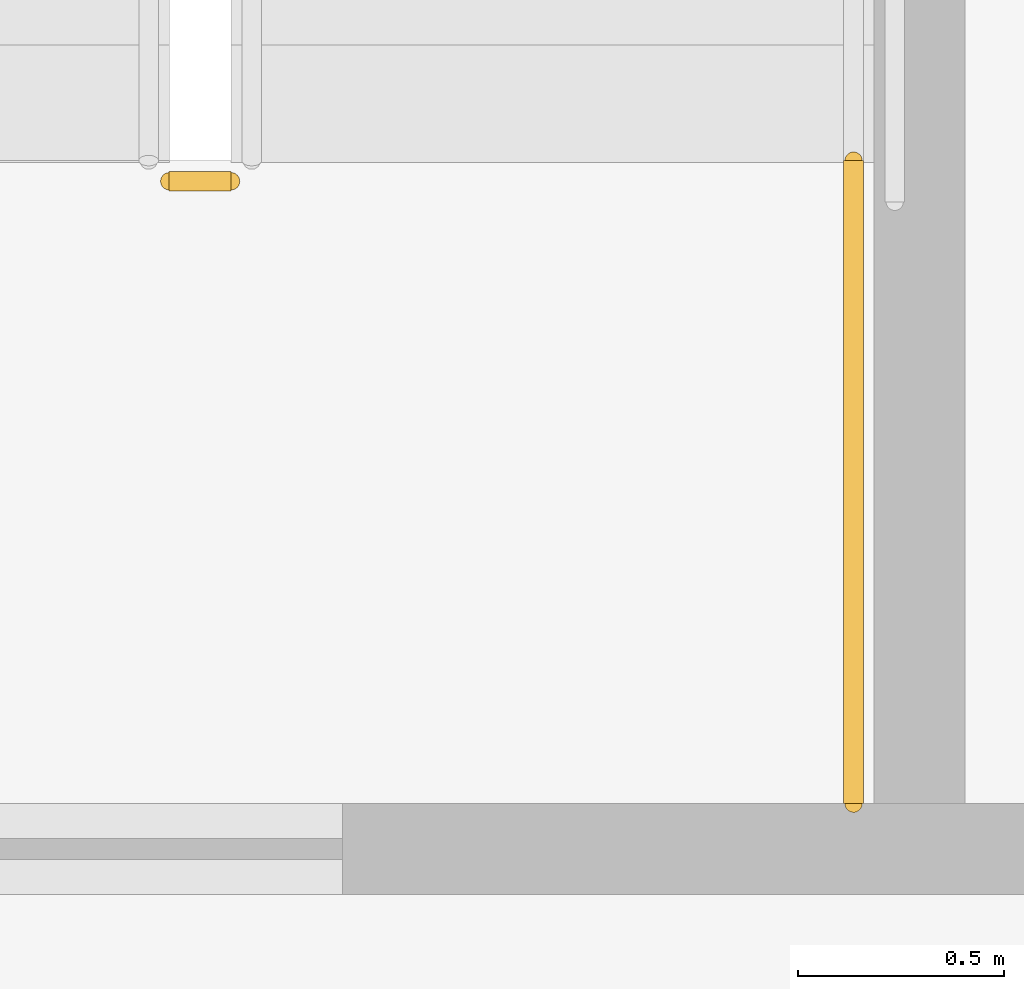
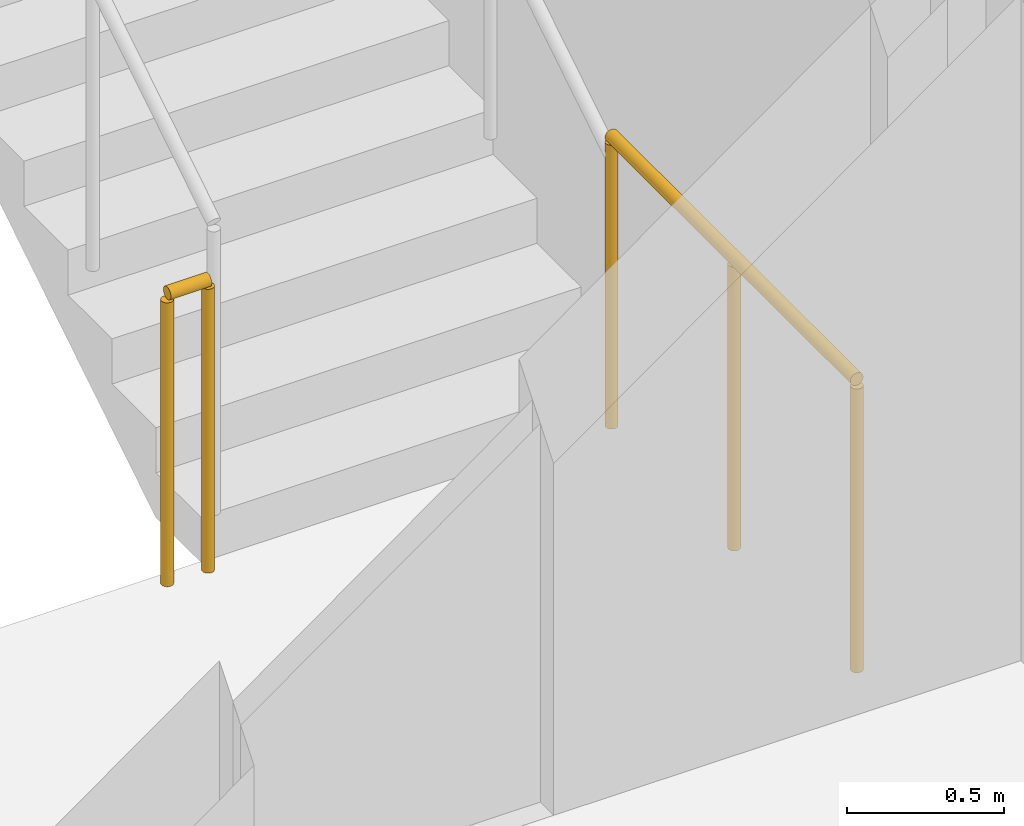
# One storey, part 12 of 15: 2 railings.
"""IFC4 building model written with IfcOpenShell, lengths in metres."""

from ifc_helpers import new_model, si_unit, direction, frame, origin, origin_2d, place, context, subcontext, project, spatial, circle, extrude, material, type_object, element, save


model = new_model("IFC4")

# Units and contexts
model_context = context("Model", 3, precision=1e-05, world=origin(), true_north=direction((0.0, 1.0)))
body_context = subcontext(model_context, "Body", "Model", "MODEL_VIEW")
ifc_project = project(units=[si_unit("LENGTHUNIT", "METRE"), si_unit("AREAUNIT", "SQUARE_METRE"), si_unit("VOLUMEUNIT", "CUBIC_METRE"), si_unit("PLANEANGLEUNIT", "RADIAN"), si_unit("MASSUNIT", "GRAM", prefix="KILO")], contexts=[model_context])

# Site, building, storey
site_placement = place(None, origin())
site = spatial("IfcSite", under=ifc_project, at=site_placement, CompositionType="ELEMENT")
building_placement = place(site_placement, origin())
building = spatial("IfcBuilding", under=site, at=building_placement, Name="Khairoan Windgate Tower", CompositionType="ELEMENT")
storey_placement = place(building_placement, frame((0.0, 0.0, 147.800048828125)))
storey = spatial("IfcBuildingStorey", under=building, at=storey_placement, Name="L34", CompositionType="ELEMENT", Elevation=147.800048828125)

# Railings
ifc_material = material(Name="Steel S355", Category="steel")
railing_type = type_object("IfcRailingType", Name="Stairwell Safety Guardrail SGR-1150", PredefinedType="GUARDRAIL", material=ifc_material)
railing_1_placement = place(storey_placement, frame((-17.7099609375, 2.909912109375, 0.0)))
element("IfcRailing", 1, at=railing_1_placement, inside=storey, type_object=railing_type, Name="L34 ST2 stair guard 7", PredefinedType="GUARDRAIL", context=body_context, shape_type="SweptSolid", body=[
    extrude(circle(Radius=0.02392578125, at=origin_2d()), frame((0.0, 0.0, 1.1259765625), z_axis=(-1.0, 0.0, 0.0), x_axis=(0.0, -1.0, 0.0)), (0.0, 0.0, 1.0), 0.150146484375),
    extrude(circle(Radius=0.02099609375, at=origin_2d()), origin(), (0.0, 0.0, 1.0), 1.101806640625),
    extrude(circle(Radius=0.02099609375, at=origin_2d()), frame((-0.150146484375, 0.0, 0.0)), (0.0, 0.0, 1.0), 1.101806640625),
])
railing_2_placement = place(storey_placement, frame((-16.199951171875, 1.39990234375, 0.0)))
element("IfcRailing", 2, at=railing_2_placement, inside=storey, type_object=railing_type, Name="L34 ST2 stair guard 8", PredefinedType="GUARDRAIL", context=body_context, shape_type="SweptSolid", body=[
    extrude(circle(Radius=0.02392578125, at=origin_2d()), frame((0.0, 0.0, 1.1259765625), z_axis=(0.0, 1.0, 0.0), x_axis=(-1.0, 0.0, 0.0)), (0.0, 0.0, 1.0), 1.56005859375),
    extrude(circle(Radius=0.02099609375, at=origin_2d()), origin(), (0.0, 0.0, 1.0), 1.101806640625),
    extrude(circle(Radius=0.02099609375, at=origin_2d()), frame((0.0, 0.780029296875, 0.0)), (0.0, 0.0, 1.0), 1.101806640625),
    extrude(circle(Radius=0.02099609375, at=origin_2d()), frame((0.0, 1.56005859375, 0.0)), (0.0, 0.0, 1.0), 1.101806640625),
])

save(model, "model.ifc")
